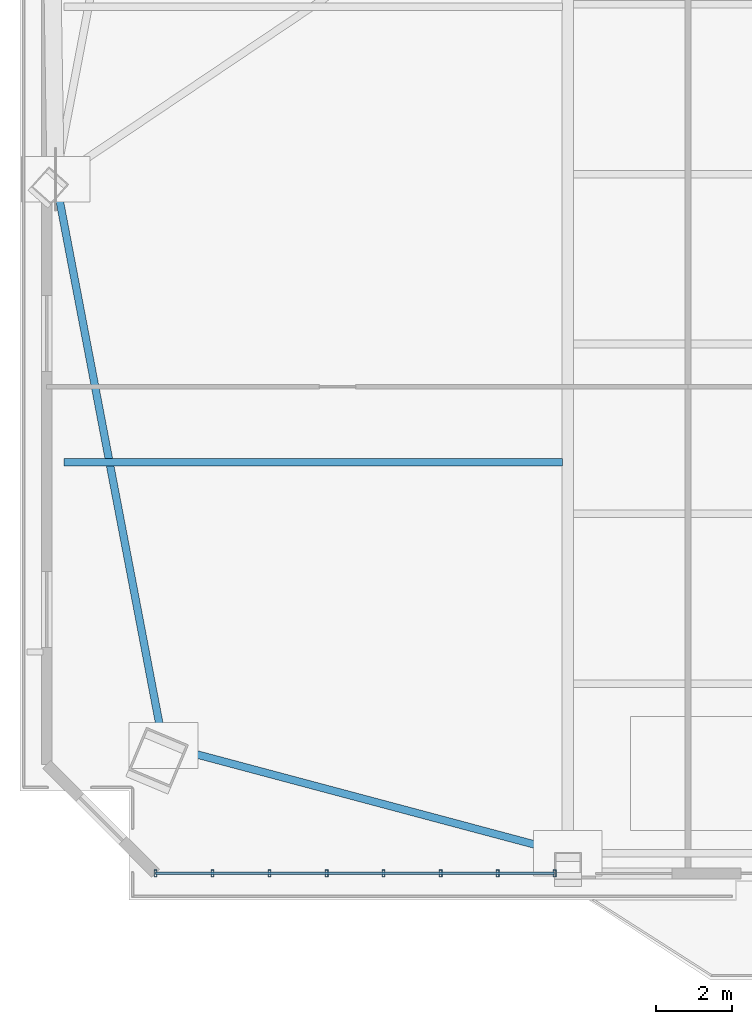
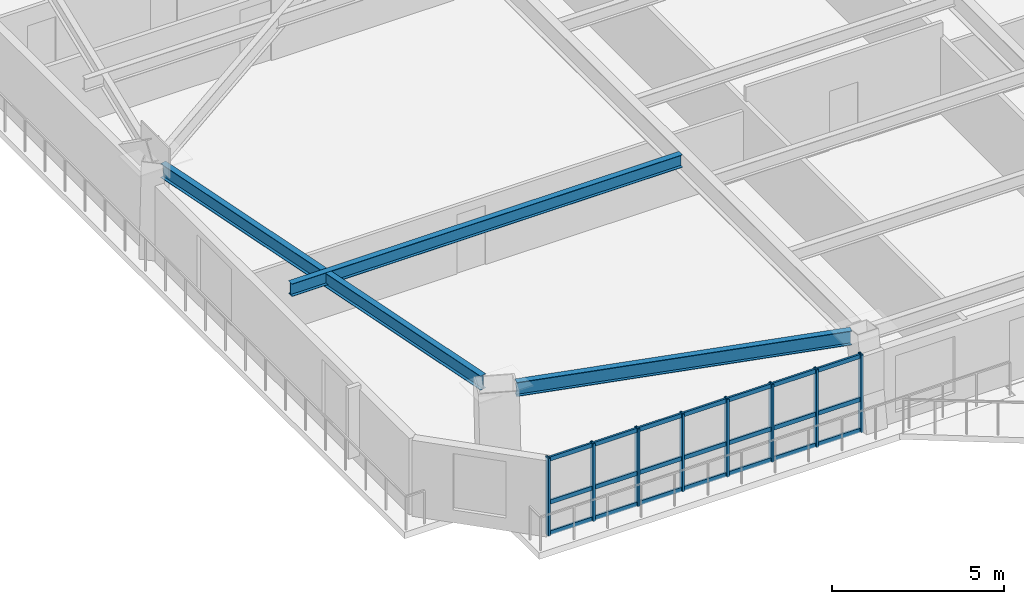
# One storey, part 2 of 15: 11 members, 3 beams, 1 element without a shape of its own.
"""IFC4 building model written with IfcOpenShell, lengths in metres."""

import ifcopenshell
import ifcopenshell.guid

model = None  # the IFC model being written
_history = None  # IfcOwnerHistory: only IFC2X3 demands one
_inside = {}  # id of a spatial element -> (the spatial element, [elements in it])
_under = {}  # id of a project, library or spatial element -> (it, [spatial elements below it])
_declared = {}  # id of a project -> (the project, [libraries it declares])
_typed = {}  # id of a type object -> (the type object, [elements of that type])
_made_of = {}  # id of a material, layer set ... -> (it, [elements and type objects made of it])


def new_model(schema):
    """Start an empty IFC model of exactly this schema.

    Asked for "IFC4X3", IfcOpenShell would pick the latest addendum, in which some entities
    have other attributes; the version numbers below select the first issue.
    IFC2X3 requires an IfcOwnerHistory on every rooted entity: one is made here for all.
    """
    global model, _history
    if schema == "IFC4X3":
        model = ifcopenshell.file(schema_version=(4, 3, 0, 0))
    else:
        model = ifcopenshell.file(schema=schema)
    _inside.clear()
    _under.clear()
    _declared.clear()
    _typed.clear()
    _made_of.clear()
    _history = None
    if model.schema == "IFC2X3":
        org = make("IfcOrganization", Name="unknown")
        user = make(
            "IfcPersonAndOrganization",
            ThePerson=make("IfcPerson", FamilyName="unknown"),
            TheOrganization=org,
        )
        app = make(
            "IfcApplication",
            ApplicationDeveloper=org,
            Version="unknown",
            ApplicationFullName="unknown",
            ApplicationIdentifier="unknown",
        )
        _history = make(
            "IfcOwnerHistory",
            OwningUser=user,
            OwningApplication=app,
            ChangeAction="ADDED",
            CreationDate=0,
        )
    return model


def make(cls, **values):
    """One entity of the class cls with the attributes given. An attribute that is None is left unset."""
    return model.create_entity(
        cls, **{name: value for name, value in values.items() if value is not None}
    )


def rooted(cls, **values):
    """An entity with a GlobalId (a new one), such as an element, a storey or a relation."""
    return make(cls, GlobalId=ifcopenshell.guid.new(), OwnerHistory=_history, **values)


def si_unit(unit_type, name, prefix=None):
    """IfcSIUnit, for example si_unit("LENGTHUNIT", "METRE", prefix="MILLI")."""
    return make("IfcSIUnit", UnitType=unit_type, Prefix=prefix, Name=name)


def assignment(units):
    """IfcUnitAssignment: the units of a project."""
    return None if units is None else make("IfcUnitAssignment", Units=units)


def point(xyz):
    """IfcCartesianPoint."""
    return None if xyz is None else make("IfcCartesianPoint", Coordinates=xyz)


def direction(xyz):
    """IfcDirection."""
    return None if xyz is None else make("IfcDirection", DirectionRatios=xyz)


def frame(location, z_axis=None, x_axis=None):
    """IfcAxis2Placement3D, a coordinate frame: its origin and axes. An axis left out is left unset."""
    return make(
        "IfcAxis2Placement3D",
        Location=point(location),
        Axis=direction(z_axis),
        RefDirection=direction(x_axis),
    )


def frame_2d(location, x_axis=None):
    """IfcAxis2Placement2D, a coordinate frame in the plane: its origin and x axis."""
    return make(
        "IfcAxis2Placement2D", Location=point(location), RefDirection=direction(x_axis)
    )


def origin():
    """The frame at (0, 0, 0) with its axes left unset."""
    return frame((0.0, 0.0, 0.0))


def origin_2d():
    """The frame at (0, 0) in the plane with its x axis left unset."""
    return frame_2d((0.0, 0.0))


def place(relative_to, where):
    """IfcLocalPlacement: puts the frame where relative to a parent placement (None: the world)."""
    return make(
        "IfcLocalPlacement", PlacementRelTo=relative_to, RelativePlacement=where
    )


def context(
    kind, dimensions, precision=None, world=None, true_north=None, identifier=None
):
    """IfcGeometricRepresentationContext, for example the 3D "Model" context."""
    return make(
        "IfcGeometricRepresentationContext",
        ContextIdentifier=identifier,
        ContextType=kind,
        CoordinateSpaceDimension=dimensions,
        Precision=precision,
        WorldCoordinateSystem=world,
        TrueNorth=true_north,
    )


def subcontext(parent, identifier, kind, view, scale=None):
    """IfcGeometricRepresentationSubContext, for example "Body" below "Model"."""
    return make(
        "IfcGeometricRepresentationSubContext",
        ContextIdentifier=identifier,
        ContextType=kind,
        ParentContext=parent,
        TargetScale=scale,
        TargetView=view,
    )


def project(units=None, contexts=None):
    """IfcProject with its units and contexts."""
    return rooted(
        "IfcProject",
        Name="project",
        RepresentationContexts=contexts,
        UnitsInContext=assignment(units),
    )


def spatial(cls, under=None, at=None, **own):
    """A site, building, storey or space (cls), placed at a placement, below another one or the project."""
    s = rooted(cls, ObjectPlacement=at, **own)
    if under is not None:
        _under.setdefault(under.id(), (under, []))[1].append(s)
    return s


def profile(cls, at=None, kind="AREA", **sizes):
    """A parametric profile (cls). Its sizes go by their IFC names, for example OverallWidth=200.0."""
    return make(cls, ProfileType=kind, Position=at, **sizes)


def hollow_rectangle(**sizes):
    """IfcRectangleHollowProfileDef."""
    return profile("IfcRectangleHollowProfileDef", **sizes)


def i_section(**sizes):
    """IfcIShapeProfileDef."""
    return profile("IfcIShapeProfileDef", **sizes)


def extrude(swept, where, along, depth):
    """IfcExtrudedAreaSolid: the profile swept, set in the frame where, extruded along a direction by depth."""
    return make(
        "IfcExtrudedAreaSolid",
        SweptArea=swept,
        Position=where,
        ExtrudedDirection=direction(along),
        Depth=depth,
    )


def shape(context_of_items, identifier, shape_type, items):
    """IfcShapeRepresentation: the items that make up one representation, for example the "Body"."""
    return make(
        "IfcShapeRepresentation",
        ContextOfItems=context_of_items,
        RepresentationIdentifier=identifier,
        RepresentationType=shape_type,
        Items=items,
    )


def source(mapping_origin, context_of_items, identifier, shape_type, items):
    """IfcRepresentationMap: a shape defined once, which mapped items show again and again."""
    return make(
        "IfcRepresentationMap",
        MappingOrigin=mapping_origin,
        MappedRepresentation=shape(context_of_items, identifier, shape_type, items),
    )


def transform(
    local_origin,
    x_axis=None,
    y_axis=None,
    z_axis=None,
    scale=None,
    scale2=None,
    scale3=None,
    uniform=True,
):
    """IfcCartesianTransformationOperator3D, or its non-uniform kind. x_axis, y_axis, z_axis: its Axis1, 2, 3."""
    if uniform:
        return make(
            "IfcCartesianTransformationOperator3D",
            Axis1=direction(x_axis),
            Axis2=direction(y_axis),
            LocalOrigin=point(local_origin),
            Scale=scale,
            Axis3=direction(z_axis),
        )
    return make(
        "IfcCartesianTransformationOperator3DnonUniform",
        Axis1=direction(x_axis),
        Axis2=direction(y_axis),
        LocalOrigin=point(local_origin),
        Scale=scale,
        Axis3=direction(z_axis),
        Scale2=scale2,
        Scale3=scale3,
    )


def mapped(mapping_source, mapping_target):
    """IfcMappedItem: shows the shape of a source again, moved by a transform."""
    return make(
        "IfcMappedItem", MappingSource=mapping_source, MappingTarget=mapping_target
    )


def material(Name=None, Category=None):
    """IfcMaterial."""
    return make("IfcMaterial", Name=Name, Category=Category)


def layer(
    of_material, thickness, ventilated=None, Name=None, Category=None, Priority=None
):
    """IfcMaterialLayer: one layer of a wall or slab, of a material (None: an air gap)."""
    return make(
        "IfcMaterialLayer",
        Material=of_material,
        LayerThickness=thickness,
        IsVentilated=ventilated,
        Name=Name,
        Category=Category,
        Priority=Priority,
    )


def layer_set(layers, Name=None):
    """IfcMaterialLayerSet."""
    return make("IfcMaterialLayerSet", MaterialLayers=layers, LayerSetName=Name)


def material_profile(
    of_material, cross_section, Name=None, Category=None, Priority=None
):
    """IfcMaterialProfile: a cross section and its material."""
    return make(
        "IfcMaterialProfile",
        Name=Name,
        Material=of_material,
        Profile=cross_section,
        Priority=Priority,
        Category=Category,
    )


def profile_set(profiles, Name=None, composite=None):
    """IfcMaterialProfileSet."""
    return make(
        "IfcMaterialProfileSet",
        Name=Name,
        MaterialProfiles=profiles,
        CompositeProfile=composite,
    )


def made_of(thing, what):
    """Note that an element or type object is made of a material, layer set ...; save() writes the relation."""
    if what is not None:
        _made_of.setdefault(what.id(), (what, []))[1].append(thing)
    return thing


def type_object(cls, material=None, **own):
    """A type object (cls), such as IfcWallType, which elements share."""
    return made_of(rooted(cls, **own), material)


def element(
    cls,
    number,
    at=None,
    inside=None,
    cuts=None,
    type_object=None,
    material=None,
    context=None,
    identifier="Body",
    shape_type=None,
    held_by="IfcProductDefinitionShape",
    body=None,
    shapes=None,
    **own,
):
    """One element of the class cls, such as IfcWall. Its Tag is "e" and its number.

    at: its placement. inside: the storey or other place that contains it. cuts: it is an
    opening in that element (IfcRelVoidsElement). A single representation is given by context,
    identifier, shape_type and body (its items); several are given by shapes. held_by: the class
    of the entity that holds the representations. save() writes the other relations.
    """
    e = rooted(cls, Tag="e%d" % number, ObjectPlacement=at, **own)
    if body is not None:
        shapes = [shape(context, identifier, shape_type, body)]
    if shapes is not None:
        e.Representation = make(held_by, Representations=shapes)
    if inside is not None:
        _inside.setdefault(inside.id(), (inside, []))[1].append(e)
    if cuts is not None:
        rooted(
            "IfcRelVoidsElement", RelatingBuildingElement=cuts, RelatedOpeningElement=e
        )
    if type_object is not None:
        _typed.setdefault(type_object.id(), (type_object, []))[1].append(e)
    return made_of(e, material)


def aggregate(whole, parts):
    """IfcRelAggregates: a whole, such as a stair, and the parts it consists of."""
    return rooted("IfcRelAggregates", RelatingObject=whole, RelatedObjects=parts)


def save(model, path):
    """Write the relations noted so far, then the file.

    IfcRelAggregates (storeys below a building ...), IfcRelContainedInSpatialStructure (elements
    in a storey), IfcRelDefinesByType, IfcRelAssociatesMaterial and IfcRelDeclares: one each for
    every whole, place, type object, material and project.
    """
    for whole, parts in _under.values():
        aggregate(whole, parts)
    for where, things in _inside.values():
        rooted(
            "IfcRelContainedInSpatialStructure",
            RelatedElements=things,
            RelatingStructure=where,
        )
    for kind, things in _typed.values():
        rooted("IfcRelDefinesByType", RelatedObjects=things, RelatingType=kind)
    for what, things in _made_of.values():
        rooted("IfcRelAssociatesMaterial", RelatedObjects=things, RelatingMaterial=what)
    for by, libraries in _declared.values():
        rooted("IfcRelDeclares", RelatingContext=by, RelatedDefinitions=libraries)
    model.write(path)


model = new_model("IFC4")

# Units and contexts
model_context = context("Model", 3, precision=1e-05, world=origin(), true_north=direction((0.0, 1.0)))
body_context = subcontext(model_context, "Body", "Model", "MODEL_VIEW")
ifc_project = project(units=[si_unit("LENGTHUNIT", "METRE"), si_unit("AREAUNIT", "SQUARE_METRE"), si_unit("VOLUMEUNIT", "CUBIC_METRE"), si_unit("PLANEANGLEUNIT", "RADIAN"), si_unit("MASSUNIT", "GRAM", prefix="KILO")], contexts=[model_context])

# Site, building, storey
site_placement = place(None, origin())
site = spatial("IfcSite", under=ifc_project, at=site_placement, CompositionType="ELEMENT")
building_placement = place(site_placement, origin())
building = spatial("IfcBuilding", under=site, at=building_placement, Name="Giltprow Tower", CompositionType="ELEMENT")
storey_placement = place(building_placement, frame((0.0, 0.0, 187.699951171875)))
storey = spatial("IfcBuildingStorey", under=building, at=storey_placement, Name="L47", CompositionType="ELEMENT", Elevation=187.699951171875)

# Beams
ifc_material_1 = material(Name="Structural steel Q355B", Category="steel")
ifc_material_profile_1 = material_profile(ifc_material_1, i_section(OverallWidth=0.199951171875, OverallDepth=0.5, WebThickness=0.010009765625, FlangeThickness=0.01611328125, at=origin_2d()), Name="HN 500x200x10x16")
ifc_profile_set_1 = profile_set([ifc_material_profile_1], Name="Structural steel Q355B")
beam_type_1 = type_object("IfcBeamType", Name="BM-SPAN-HN500", PredefinedType="SPANDREL", material=ifc_profile_set_1)
shared_shape_1 = source(origin(), body_context, "Body", "SweptSolid", [
    extrude(i_section(OverallWidth=0.199951171875, OverallDepth=0.5, WebThickness=0.010009765625, FlangeThickness=0.01611328125, at=origin_2d()), origin(), (0.0, 0.0, 1.0), 10.077392578125),
])
beam_1_placement = place(storey_placement, frame((9.7890625, 13.364013671875, 2.969970703125), z_axis=(0.96619994808, -0.257793832995, 0.0), x_axis=(0.257793832995, 0.96619994808, 0.0)))
element("IfcBeam", 1, at=beam_1_placement, inside=storey, type_object=beam_type_1, Name="L47 Perimeter Spandrel Beam MC_SW-S1", PredefinedType="SPANDREL", context=body_context, shape_type="MappedRepresentation", body=[
    mapped(shared_shape_1, transform((0.0, 0.0, 0.0), x_axis=(1.0, 0.0, 0.0), y_axis=(0.0, 1.0, 0.0), z_axis=(0.0, 0.0, 1.0), scale=1.0)),
])
shared_shape_2 = source(origin(), body_context, "Body", "SweptSolid", [
    extrude(i_section(OverallWidth=0.199951171875, OverallDepth=0.5, WebThickness=0.010009765625, FlangeThickness=0.01611328125, at=origin_2d()), origin(), (0.0, 0.0, 1.0), 14.222412109375),
])
beam_2_placement = place(storey_placement, frame((6.451904296875, 28.06103515625, 2.969970703125), z_axis=(0.187178367581, -0.982325943213, 0.0), x_axis=(0.982325943213, 0.187178367581, 0.0)))
element("IfcBeam", 2, at=beam_2_placement, inside=storey, type_object=beam_type_1, Name="L47 Perimeter Spandrel Beam W_MID-MC_SW", PredefinedType="SPANDREL", context=body_context, shape_type="MappedRepresentation", body=[
    mapped(shared_shape_2, transform((0.0, 0.0, 0.0), x_axis=(1.0, 0.0, 0.0), y_axis=(0.0, 1.0, 0.0), z_axis=(0.0, 0.0, 1.0), scale=1.0)),
])
ifc_material_profile_2 = material_profile(ifc_material_1, i_section(OverallWidth=0.199951171875, OverallDepth=0.449951171875, WebThickness=0.009033203125, FlangeThickness=0.013916015625, at=origin_2d()), Name="HN 450x200x9x14")
ifc_profile_set_2 = profile_set([ifc_material_profile_2], Name="Structural steel Q355B")
beam_type_2 = type_object("IfcBeamType", Name="BM-JOIST-HN450", PredefinedType="JOIST", material=ifc_profile_set_2)
shared_shape_3 = source(origin(), body_context, "Body", "SweptSolid", [
    extrude(i_section(OverallWidth=0.199951171875, OverallDepth=0.449951171875, WebThickness=0.009033203125, FlangeThickness=0.013916015625, at=origin_2d()), origin(), (0.0, 0.0, 1.0), 13.09619140625),
])
beam_3_placement = place(storey_placement, frame((6.60888671875, 20.952880859375, 2.9951171875), z_axis=(1.0, 0.0, 0.0), x_axis=(0.0, 1.0, 0.0)))
element("IfcBeam", 3, at=beam_3_placement, inside=storey, type_object=beam_type_2, Name="L47 West Wing Floor Joist 1", PredefinedType="JOIST", context=body_context, shape_type="MappedRepresentation", body=[
    mapped(shared_shape_3, transform((0.0, 0.0, 0.0), x_axis=(1.0, 0.0, 0.0), y_axis=(0.0, 1.0, 0.0), z_axis=(0.0, 0.0, 1.0), scale=1.0)),
])

# Curtain wall, members
ifc_material_2 = material(Name="Anodized bronze", Category="metal")
ifc_layer = layer(ifc_material_2, 0.179931640625, Name="Anodized bronze")
ifc_layer_set = layer_set([ifc_layer], Name="Anodized bronze")
curtain_wall_type = type_object("IfcCurtainWallType", Name="CW-HTL-BRONZE", PredefinedType="NOTDEFINED", material=ifc_layer_set)
curtain_wall_placement = place(storey_placement, origin())
curtain_wall = element("IfcCurtainWall", 4, at=curtain_wall_placement, inside=storey, type_object=curtain_wall_type, Name="L47 South Recessed Curtain Wall 1", PredefinedType="NOTDEFINED")
ifc_material_profile_3 = material_profile(ifc_material_2, hollow_rectangle(XDim=0.074951171875, YDim=0.179931640625, WallThickness=0.008056640625, at=origin_2d()), Name="RHS 180x75x8")
ifc_profile_set_3 = profile_set([ifc_material_profile_3], Name="Anodized bronze")
member_type_1 = type_object("IfcMemberType", Name="CW-MULLION-180x75", PredefinedType="MULLION", material=ifc_profile_set_3)
shared_shape_4 = source(origin(), body_context, "Body", "SweptSolid", [
    extrude(hollow_rectangle(XDim=0.074951171875, YDim=0.179931640625, WallThickness=0.008056640625, at=origin_2d()), origin(), (0.0, 0.0, 1.0), 2.755126953125),
])
member_1_placement = place(storey_placement, frame((9.014892578125, 10.154052734375, -0.02001953125), z_axis=(0.0, 0.0, 1.0), x_axis=(1.0, 0.0, 0.0)))
member_1 = element("IfcMember", 5, at=member_1_placement, type_object=member_type_1, Name="L47 South Recessed Curtain Wall 1 Mullion 1", PredefinedType="MULLION", context=body_context, shape_type="MappedRepresentation", body=[
    mapped(shared_shape_4, transform((0.0, 0.0, 0.0), x_axis=(1.0, 0.0, 0.0), y_axis=(0.0, 1.0, 0.0), z_axis=(0.0, 0.0, 1.0), scale=1.0)),
])
member_2_placement = place(storey_placement, frame((10.512939453125, 10.154052734375, -0.02001953125), z_axis=(0.0, 0.0, 1.0), x_axis=(1.0, 0.0, 0.0)))
member_2 = element("IfcMember", 6, at=member_2_placement, type_object=member_type_1, Name="L47 South Recessed Curtain Wall 1 Mullion 2", PredefinedType="MULLION", context=body_context, shape_type="MappedRepresentation", body=[
    mapped(shared_shape_4, transform((0.0, 0.0, 0.0), x_axis=(1.0, 0.0, 0.0), y_axis=(0.0, 1.0, 0.0), z_axis=(0.0, 0.0, 1.0), scale=1.0)),
])
member_3_placement = place(storey_placement, frame((12.010986328125, 10.154052734375, -0.02001953125), z_axis=(0.0, 0.0, 1.0), x_axis=(1.0, 0.0, 0.0)))
member_3 = element("IfcMember", 7, at=member_3_placement, type_object=member_type_1, Name="L47 South Recessed Curtain Wall 1 Mullion 3", PredefinedType="MULLION", context=body_context, shape_type="MappedRepresentation", body=[
    mapped(shared_shape_4, transform((0.0, 0.0, 0.0), x_axis=(1.0, 0.0, 0.0), y_axis=(0.0, 1.0, 0.0), z_axis=(0.0, 0.0, 1.0), scale=1.0)),
])
member_4_placement = place(storey_placement, frame((13.509033203125, 10.154052734375, -0.02001953125), z_axis=(0.0, 0.0, 1.0), x_axis=(1.0, 0.0, 0.0)))
member_4 = element("IfcMember", 8, at=member_4_placement, type_object=member_type_1, Name="L47 South Recessed Curtain Wall 1 Mullion 4", PredefinedType="MULLION", context=body_context, shape_type="MappedRepresentation", body=[
    mapped(shared_shape_4, transform((0.0, 0.0, 0.0), x_axis=(1.0, 0.0, 0.0), y_axis=(0.0, 1.0, 0.0), z_axis=(0.0, 0.0, 1.0), scale=1.0)),
])
member_5_placement = place(storey_placement, frame((15.006103515625, 10.154052734375, -0.02001953125), z_axis=(0.0, 0.0, 1.0), x_axis=(1.0, 0.0, 0.0)))
member_5 = element("IfcMember", 9, at=member_5_placement, type_object=member_type_1, Name="L47 South Recessed Curtain Wall 1 Mullion 5", PredefinedType="MULLION", context=body_context, shape_type="MappedRepresentation", body=[
    mapped(shared_shape_4, transform((0.0, 0.0, 0.0), x_axis=(1.0, 0.0, 0.0), y_axis=(0.0, 1.0, 0.0), z_axis=(0.0, 0.0, 1.0), scale=1.0)),
])
member_6_placement = place(storey_placement, frame((16.50390625, 10.154052734375, -0.02001953125), z_axis=(0.0, 0.0, 1.0), x_axis=(1.0, 0.0, 0.0)))
member_6 = element("IfcMember", 10, at=member_6_placement, type_object=member_type_1, Name="L47 South Recessed Curtain Wall 1 Mullion 6", PredefinedType="MULLION", context=body_context, shape_type="MappedRepresentation", body=[
    mapped(shared_shape_4, transform((0.0, 0.0, 0.0), x_axis=(1.0, 0.0, 0.0), y_axis=(0.0, 1.0, 0.0), z_axis=(0.0, 0.0, 1.0), scale=1.0)),
])
member_7_placement = place(storey_placement, frame((18.001953125, 10.154052734375, -0.02001953125), z_axis=(0.0, 0.0, 1.0), x_axis=(1.0, 0.0, 0.0)))
member_7 = element("IfcMember", 11, at=member_7_placement, type_object=member_type_1, Name="L47 South Recessed Curtain Wall 1 Mullion 7", PredefinedType="MULLION", context=body_context, shape_type="MappedRepresentation", body=[
    mapped(shared_shape_4, transform((0.0, 0.0, 0.0), x_axis=(1.0, 0.0, 0.0), y_axis=(0.0, 1.0, 0.0), z_axis=(0.0, 0.0, 1.0), scale=1.0)),
])
member_8_placement = place(storey_placement, frame((19.5, 10.154052734375, -0.02001953125), z_axis=(0.0, 0.0, 1.0), x_axis=(1.0, 0.0, 0.0)))
member_8 = element("IfcMember", 12, at=member_8_placement, type_object=member_type_1, Name="L47 South Recessed Curtain Wall 1 Mullion 8", PredefinedType="MULLION", context=body_context, shape_type="MappedRepresentation", body=[
    mapped(shared_shape_4, transform((0.0, 0.0, 0.0), x_axis=(1.0, 0.0, 0.0), y_axis=(0.0, 1.0, 0.0), z_axis=(0.0, 0.0, 1.0), scale=1.0)),
])
ifc_material_profile_4 = material_profile(ifc_material_2, hollow_rectangle(XDim=0.06494140625, YDim=0.14990234375, WallThickness=0.006103515625, at=origin_2d()), Name="RHS 150x65x6")
ifc_profile_set_4 = profile_set([ifc_material_profile_4], Name="Anodized bronze")
member_type_2 = type_object("IfcMemberType", Name="CW-TRANSOM-150x65", PredefinedType="USERDEFINED", material=ifc_profile_set_4)
shared_shape_5 = source(origin(), body_context, "Body", "SweptSolid", [
    extrude(hollow_rectangle(XDim=0.06494140625, YDim=0.14990234375, WallThickness=0.006103515625, at=origin_2d()), origin(), (0.0, 0.0, 1.0), 10.485107421875),
])
member_9_placement = place(storey_placement, frame((9.014892578125, 10.154052734375, 0.0400390625), z_axis=(1.0, 0.0, 0.0), x_axis=(0.0, 1.0, 0.0)))
member_9 = element("IfcMember", 13, at=member_9_placement, type_object=member_type_2, Name="L47 South Recessed Curtain Wall 1 Transom 1", ObjectType="TRANSOM", PredefinedType="USERDEFINED", context=body_context, shape_type="MappedRepresentation", body=[
    mapped(shared_shape_5, transform((0.0, 0.0, 0.0), x_axis=(1.0, 0.0, 0.0), y_axis=(0.0, 1.0, 0.0), z_axis=(0.0, 0.0, 1.0), scale=1.0)),
])
member_10_placement = place(storey_placement, frame((9.014892578125, 10.154052734375, 1.134033203125), z_axis=(1.0, 0.0, 0.0), x_axis=(0.0, 1.0, 0.0)))
member_10 = element("IfcMember", 14, at=member_10_placement, type_object=member_type_2, Name="L47 South Recessed Curtain Wall 1 Transom 2", ObjectType="TRANSOM", PredefinedType="USERDEFINED", context=body_context, shape_type="MappedRepresentation", body=[
    mapped(shared_shape_5, transform((0.0, 0.0, 0.0), x_axis=(1.0, 0.0, 0.0), y_axis=(0.0, 1.0, 0.0), z_axis=(0.0, 0.0, 1.0), scale=1.0)),
])
member_11_placement = place(storey_placement, frame((9.014892578125, 10.154052734375, 2.66015625), z_axis=(1.0, 0.0, 0.0), x_axis=(0.0, 1.0, 0.0)))
member_11 = element("IfcMember", 15, at=member_11_placement, type_object=member_type_2, Name="L47 South Recessed Curtain Wall 1 Transom 3", ObjectType="TRANSOM", PredefinedType="USERDEFINED", context=body_context, shape_type="MappedRepresentation", body=[
    mapped(shared_shape_5, transform((0.0, 0.0, 0.0), x_axis=(1.0, 0.0, 0.0), y_axis=(0.0, 1.0, 0.0), z_axis=(0.0, 0.0, 1.0), scale=1.0)),
])
aggregate(curtain_wall, [member_1, member_2, member_3, member_4, member_5, member_6, member_7, member_8, member_9, member_10, member_11])

save(model, "model.ifc")
